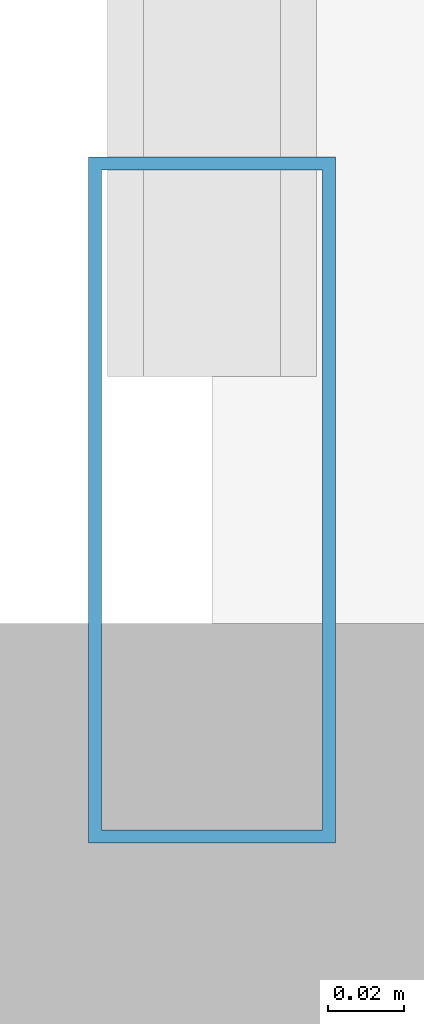
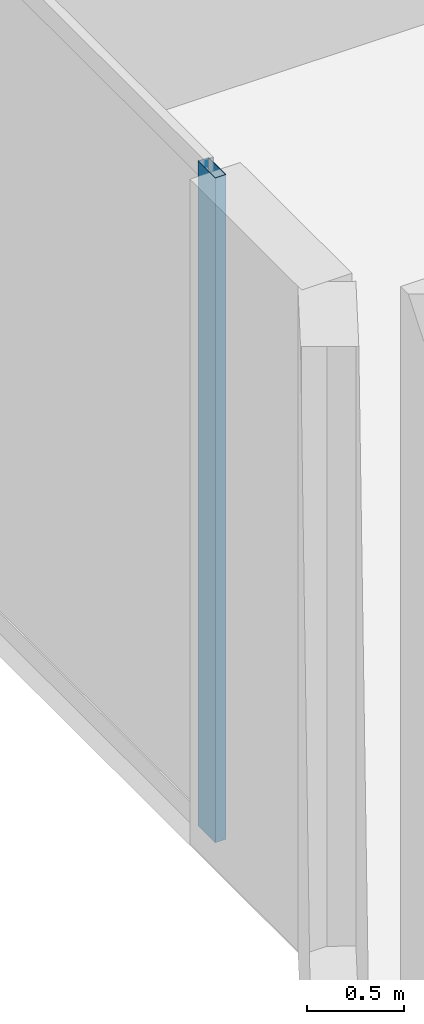
# One storey, part 6 of 23: 1 member, 1 element without a shape of its own.
"""IFC4 building model written with IfcOpenShell, lengths in metres."""

from ifc_helpers import new_model, si_unit, direction, frame, origin, origin_2d, place, context, subcontext, project, spatial, hollow_rectangle, extrude, material, layer, layer_set, material_profile, profile_set, type_object, element, aggregate, save


model = new_model("IFC4")

# Units and contexts
model_context = context("Model", 3, precision=1e-05, world=origin(), true_north=direction((0.0, 1.0)))
body_context = subcontext(model_context, "Body", "Model", "MODEL_VIEW")
ifc_project = project(units=[si_unit("LENGTHUNIT", "METRE"), si_unit("AREAUNIT", "SQUARE_METRE"), si_unit("VOLUMEUNIT", "CUBIC_METRE"), si_unit("PLANEANGLEUNIT", "RADIAN"), si_unit("MASSUNIT", "GRAM", prefix="KILO")], contexts=[model_context])

# Site, building, storey
site_placement = place(None, origin())
site = spatial("IfcSite", under=ifc_project, at=site_placement, CompositionType="ELEMENT")
building_placement = place(site_placement, origin())
building = spatial("IfcBuilding", under=site, at=building_placement, Name="Zuhayl Quay Hotel", CompositionType="ELEMENT")
storey_placement = place(building_placement, frame((0.0, 0.0, 288.449951171875)))
storey = spatial("IfcBuildingStorey", under=building, at=storey_placement, Name="L73", CompositionType="ELEMENT", Elevation=288.449951171875)

# Curtain wall, member
ifc_material_1 = material(Name="Anodised Aluminium 6063-T6", Category="aluminium")
ifc_layer = layer(ifc_material_1, 0.169921875, Name="Anodised Aluminium 6063-T6", Category="aluminium")
ifc_layer_set = layer_set([ifc_layer], Name="Anodised Aluminium 6063-T6")
curtain_wall_type = type_object("IfcCurtainWallType", Name="CW_SYS_Z4", PredefinedType="USERDEFINED", material=ifc_layer_set)
curtain_wall_placement = place(storey_placement, origin())
curtain_wall = element("IfcCurtainWall", 1, at=curtain_wall_placement, inside=storey, type_object=curtain_wall_type, Name="L73 Curtain Wall ENV_L73_E05_CW1", ObjectType="UNITISED CURTAIN WALL", PredefinedType="USERDEFINED")
ifc_material_2 = material(Name="Black-anodised aluminium 6063-T6", Category="aluminium")
ifc_material_profile = material_profile(ifc_material_2, hollow_rectangle(XDim=0.06494140625, YDim=0.179931640625, WallThickness=0.00341796875, at=origin_2d()), Name="ALU180X65")
ifc_profile_set = profile_set([ifc_material_profile], Name="Black-anodised aluminium 6063-T6")
member_type = type_object("IfcMemberType", Name="MB_CW_MUL_180", PredefinedType="MULLION", material=ifc_profile_set)
member_placement = place(storey_placement, frame((-20.199951171875, 25.282470703125, 0.0), z_axis=(0.0, 0.0, 1.0), x_axis=(-1.0, 0.0, 0.0)))
member = element("IfcMember", 2, at=member_placement, type_object=member_type, Name="CW-Z4 mullion 1", PredefinedType="MULLION", context=body_context, shape_type="SweptSolid", body=[
    extrude(hollow_rectangle(XDim=0.06494140625, YDim=0.179931640625, WallThickness=0.00341796875, at=origin_2d()), origin(), (0.0, 0.0, 1.0), 4.179931640625),
])
aggregate(curtain_wall, [member])

save(model, "model.ifc")
